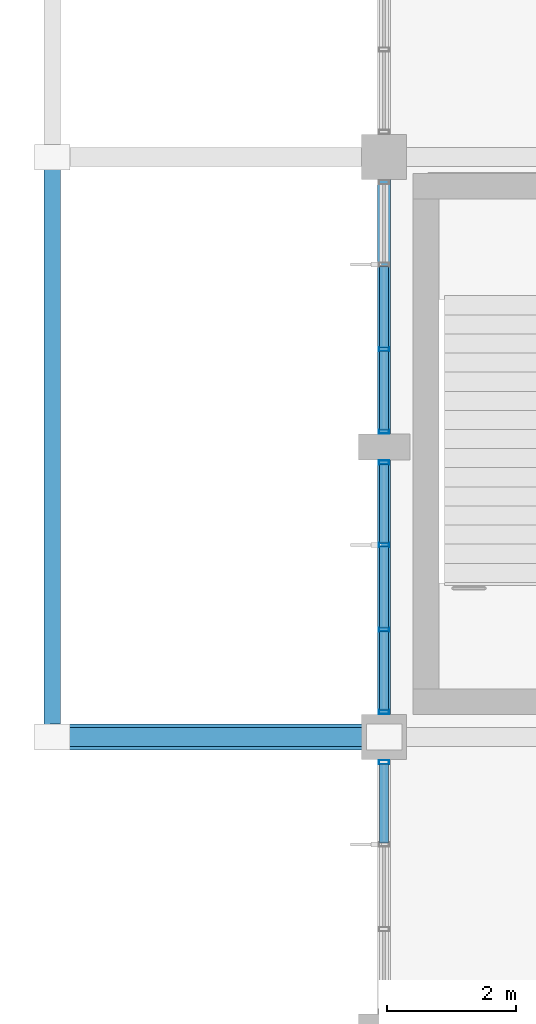
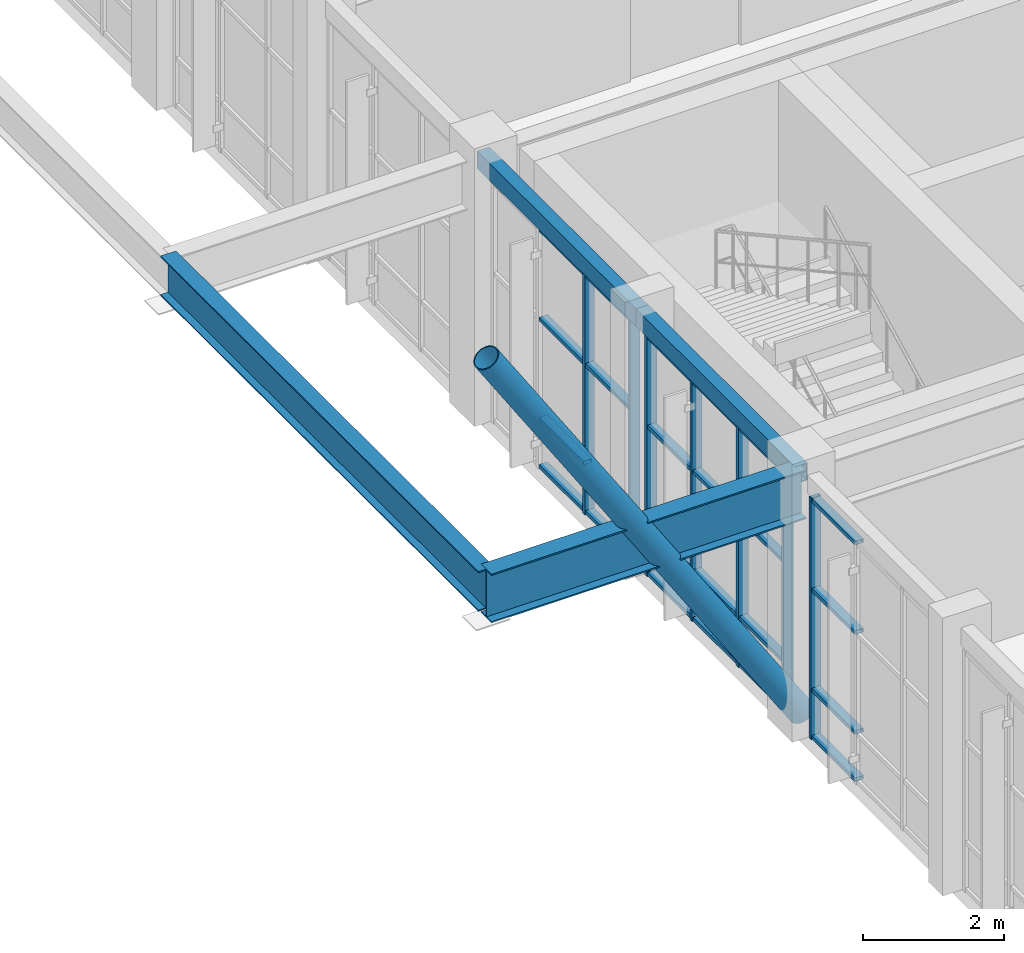
# One storey, part 20 of 99: 32 members, 4 beams, 3 elements without a shape of their own.
"""IFC4 building model written with IfcOpenShell, lengths in metres."""

from ifc_helpers import new_model, si_unit, direction, frame, origin, origin_2d, place, context, subcontext, project, spatial, hollow_rectangle, hollow_circle, i_section, extrude, material, layer, layer_set, material_profile, profile_set, type_object, element, aggregate, save


model = new_model("IFC4")

# Units and contexts
model_context = context("Model", 3, precision=1e-05, world=origin(), true_north=direction((0.0, 1.0)))
body_context = subcontext(model_context, "Body", "Model", "MODEL_VIEW")
ifc_project = project(units=[si_unit("LENGTHUNIT", "METRE"), si_unit("AREAUNIT", "SQUARE_METRE"), si_unit("VOLUMEUNIT", "CUBIC_METRE"), si_unit("PLANEANGLEUNIT", "RADIAN"), si_unit("MASSUNIT", "GRAM", prefix="KILO")], contexts=[model_context])

# Site, building, storey
site_placement = place(None, origin())
site = spatial("IfcSite", under=ifc_project, at=site_placement, CompositionType="ELEMENT")
building_placement = place(site_placement, origin())
building = spatial("IfcBuilding", under=site, at=building_placement, Name="Ventoquebrada Cableway Terminal", CompositionType="ELEMENT")
storey_placement = place(building_placement, frame((0.0, 0.0, 9.60009765625)))
storey = spatial("IfcBuildingStorey", under=building, at=storey_placement, Name="L02", CompositionType="ELEMENT", Elevation=9.60009765625)

# Beams
ifc_material_1 = material(Name="Steel ASTM A992 Grade 50", Category="steel")
ifc_material_profile_1 = material_profile(ifc_material_1, i_section(OverallWidth=0.25390625, OverallDepth=0.68798828125, WebThickness=0.01318359375, FlangeThickness=0.02099609375, at=origin_2d()), Name="W27X102")
ifc_profile_set_1 = profile_set([ifc_material_profile_1], Name="Steel ASTM A992 Grade 50")
beam_type_1 = type_object("IfcBeamType", Name="BM-ST04", PredefinedType="BEAM", material=ifc_profile_set_1)
beam_1_placement = place(storey_placement, frame((3.050048828125, 77.0, 4.120849609375), z_axis=(0.0, 1.0, 0.0), x_axis=(-1.0, 0.0, 0.0)))
element("IfcBeam", 1, at=beam_1_placement, inside=storey, type_object=beam_type_1, Name="Cantilever edge girder CB-006", PredefinedType="BEAM", context=body_context, shape_type="SweptSolid", body=[
    extrude(i_section(OverallWidth=0.25390625, OverallDepth=0.68798828125, WebThickness=0.01318359375, FlangeThickness=0.02099609375, at=origin_2d()), origin(), (0.0, 0.0, 1.0), 9.0),
])
ifc_material_profile_2 = material_profile(ifc_material_1, i_section(OverallWidth=0.2919921875, OverallDepth=0.845947265625, WebThickness=0.015380859375, FlangeThickness=0.0244140625, at=origin_2d()), Name="W33X141")
ifc_profile_set_2 = profile_set([ifc_material_profile_2], Name="Steel ASTM A992 Grade 50")
beam_type_2 = type_object("IfcBeamType", Name="BM-ST06", PredefinedType="BEAM", material=ifc_profile_set_2)
beam_2_placement = place(storey_placement, frame((3.050048828125, 77.0, 4.0419921875), z_axis=(1.0, 0.0, 0.0), x_axis=(0.0, 1.0, 0.0)))
element("IfcBeam", 2, at=beam_2_placement, inside=storey, type_object=beam_type_2, Name="Cantilever belvedere girder CB-001", PredefinedType="BEAM", context=body_context, shape_type="SweptSolid", body=[
    extrude(i_section(OverallWidth=0.2919921875, OverallDepth=0.845947265625, WebThickness=0.015380859375, FlangeThickness=0.0244140625, at=origin_2d()), origin(), (0.0, 0.0, 1.0), 5.14990234375),
])

# Curtain wall, member
ifc_material_2 = material(Name="Anodized thermally-broken aluminium", Category="aluminium")
ifc_layer = layer(ifc_material_2, 0.159912109375)
ifc_layer_set = layer_set([ifc_layer], Name="Anodized thermally-broken aluminium")
curtain_wall_type = type_object("IfcCurtainWallType", Name="CW-T17", PredefinedType="USERDEFINED", material=ifc_layer_set)
curtain_wall_1_placement = place(storey_placement, origin())
curtain_wall_1 = element("IfcCurtainWall", 3, at=curtain_wall_1_placement, inside=storey, type_object=curtain_wall_type, Name="Unitised glazed curtain wall CW-043", ObjectType="UNITISED CURTAIN WALL", PredefinedType="USERDEFINED")
ifc_material_profile_3 = material_profile(ifc_material_2, hollow_rectangle(XDim=0.06494140625, YDim=0.159912109375, WallThickness=0.00390625, at=origin_2d()), Name="CW-MUL-65X160")
ifc_profile_set_3 = profile_set([ifc_material_profile_3], Name="Anodized thermally-broken aluminium")
member_type_1 = type_object("IfcMemberType", Name="CWM-01", PredefinedType="MULLION", material=ifc_profile_set_3)
member_1_placement = place(storey_placement, frame((8.199951171875, 76.610107421875, -0.008056640625), z_axis=(0.0, 0.0, 1.0), x_axis=(0.0, -1.0, 0.0)))
member_1 = element("IfcMember", 4, at=member_1_placement, type_object=member_type_1, Name="Curtain wall mullion FML-0196", PredefinedType="MULLION", context=body_context, shape_type="SweptSolid", body=[
    extrude(hollow_rectangle(XDim=0.06494140625, YDim=0.159912109375, WallThickness=0.00390625, at=origin_2d()), origin(), (0.0, 0.0, 1.0), 4.1728515625),
])

# Curtain wall, members
curtain_wall_2_placement = place(storey_placement, origin())
curtain_wall_2 = element("IfcCurtainWall", 5, at=curtain_wall_2_placement, inside=storey, type_object=curtain_wall_type, Name="Unitised glazed curtain wall CW-045", ObjectType="UNITISED CURTAIN WALL", PredefinedType="USERDEFINED")
member_2_placement = place(storey_placement, frame((8.199951171875, 83.01806640625, -0.008056640625), z_axis=(0.0, 0.0, 1.0), x_axis=(0.0, -1.0, 0.0)))
member_2 = element("IfcMember", 6, at=member_2_placement, type_object=member_type_1, Name="Curtain wall mullion FML-0206", PredefinedType="MULLION", context=body_context, shape_type="SweptSolid", body=[
    extrude(hollow_rectangle(XDim=0.06494140625, YDim=0.159912109375, WallThickness=0.00390625, at=origin_2d()), origin(), (0.0, 0.0, 1.0), 4.1728515625),
])
member_3_placement = place(storey_placement, frame((8.199951171875, 81.739990234375, -0.008056640625), z_axis=(0.0, 0.0, 1.0), x_axis=(0.0, -1.0, 0.0)))
member_3 = element("IfcMember", 7, at=member_3_placement, type_object=member_type_1, Name="Curtain wall mullion FML-0207", PredefinedType="MULLION", context=body_context, shape_type="SweptSolid", body=[
    extrude(hollow_rectangle(XDim=0.06494140625, YDim=0.159912109375, WallThickness=0.00390625, at=origin_2d()), origin(), (0.0, 0.0, 1.0), 4.1728515625),
])

curtain_wall_3_placement = place(storey_placement, origin())
curtain_wall_3 = element("IfcCurtainWall", 8, at=curtain_wall_3_placement, inside=storey, type_object=curtain_wall_type, Name="Unitised glazed curtain wall CW-046", ObjectType="UNITISED CURTAIN WALL", PredefinedType="USERDEFINED")
member_4_placement = place(storey_placement, frame((8.199951171875, 81.260009765625, -0.008056640625), z_axis=(0.0, 0.0, 1.0), x_axis=(0.0, -1.0, 0.0)))
member_4 = element("IfcMember", 9, at=member_4_placement, type_object=member_type_1, Name="Curtain wall mullion FML-0208", PredefinedType="MULLION", context=body_context, shape_type="SweptSolid", body=[
    extrude(hollow_rectangle(XDim=0.06494140625, YDim=0.159912109375, WallThickness=0.00390625, at=origin_2d()), origin(), (0.0, 0.0, 1.0), 4.1728515625),
])
member_5_placement = place(storey_placement, frame((8.199951171875, 79.98193359375, -0.008056640625), z_axis=(0.0, 0.0, 1.0), x_axis=(0.0, -1.0, 0.0)))
member_5 = element("IfcMember", 10, at=member_5_placement, type_object=member_type_1, Name="Curtain wall mullion FML-0209", PredefinedType="MULLION", context=body_context, shape_type="SweptSolid", body=[
    extrude(hollow_rectangle(XDim=0.06494140625, YDim=0.159912109375, WallThickness=0.00390625, at=origin_2d()), origin(), (0.0, 0.0, 1.0), 4.1728515625),
])
member_6_placement = place(storey_placement, frame((8.199951171875, 78.66796875, -0.008056640625), z_axis=(0.0, 0.0, 1.0), x_axis=(0.0, -1.0, 0.0)))
member_6 = element("IfcMember", 11, at=member_6_placement, type_object=member_type_1, Name="Curtain wall mullion FML-0210", PredefinedType="MULLION", context=body_context, shape_type="SweptSolid", body=[
    extrude(hollow_rectangle(XDim=0.06494140625, YDim=0.159912109375, WallThickness=0.00390625, at=origin_2d()), origin(), (0.0, 0.0, 1.0), 4.1728515625),
])
member_7_placement = place(storey_placement, frame((8.199951171875, 77.389892578125, -0.008056640625), z_axis=(0.0, 0.0, 1.0), x_axis=(0.0, -1.0, 0.0)))
member_7 = element("IfcMember", 12, at=member_7_placement, type_object=member_type_1, Name="Curtain wall mullion FML-0211", PredefinedType="MULLION", context=body_context, shape_type="SweptSolid", body=[
    extrude(hollow_rectangle(XDim=0.06494140625, YDim=0.159912109375, WallThickness=0.00390625, at=origin_2d()), origin(), (0.0, 0.0, 1.0), 4.1728515625),
])

# Member
ifc_material_profile_4 = material_profile(ifc_material_2, hollow_rectangle(XDim=0.06494140625, YDim=0.139892578125, WallThickness=0.00390625, at=origin_2d()), Name="CW-TRN-65X140")
ifc_profile_set_4 = profile_set([ifc_material_profile_4], Name="Anodized thermally-broken aluminium")
member_type_2 = type_object("IfcMemberType", Name="CWT-01", PredefinedType="USERDEFINED", material=ifc_profile_set_4)
member_8_placement = place(storey_placement, frame((8.199951171875, 76.58203125, 0.034912109375), z_axis=(0.0, -1.0, 0.0), x_axis=(0.0, 0.0, 1.0)))
member_8 = element("IfcMember", 13, at=member_8_placement, type_object=member_type_2, Name="Curtain wall transom FTR-0591", ObjectType="TRANSOM", PredefinedType="USERDEFINED", context=body_context, shape_type="SweptSolid", body=[
    extrude(hollow_rectangle(XDim=0.06494140625, YDim=0.139892578125, WallThickness=0.00390625, at=origin_2d()), origin(), (0.0, 0.0, 1.0), 1.22314453125),
])

member_9_placement = place(storey_placement, frame((8.199951171875, 76.58203125, 0.849853515625), z_axis=(0.0, -1.0, 0.0), x_axis=(0.0, 0.0, 1.0)))
member_9 = element("IfcMember", 14, at=member_9_placement, type_object=member_type_2, Name="Curtain wall transom FTR-0592", ObjectType="TRANSOM", PredefinedType="USERDEFINED", context=body_context, shape_type="SweptSolid", body=[
    extrude(hollow_rectangle(XDim=0.06494140625, YDim=0.139892578125, WallThickness=0.00390625, at=origin_2d()), origin(), (0.0, 0.0, 1.0), 1.22314453125),
])

member_10_placement = place(storey_placement, frame((8.199951171875, 76.58203125, 2.578857421875), z_axis=(0.0, -1.0, 0.0), x_axis=(0.0, 0.0, 1.0)))
member_10 = element("IfcMember", 15, at=member_10_placement, type_object=member_type_2, Name="Curtain wall transom FTR-0593", ObjectType="TRANSOM", PredefinedType="USERDEFINED", context=body_context, shape_type="SweptSolid", body=[
    extrude(hollow_rectangle(XDim=0.06494140625, YDim=0.139892578125, WallThickness=0.00390625, at=origin_2d()), origin(), (0.0, 0.0, 1.0), 1.22314453125),
])

member_11_placement = place(storey_placement, frame((8.199951171875, 76.58203125, 4.125), z_axis=(0.0, -1.0, 0.0), x_axis=(0.0, 0.0, 1.0)))
member_11 = element("IfcMember", 16, at=member_11_placement, type_object=member_type_2, Name="Curtain wall transom FTR-0594", ObjectType="TRANSOM", PredefinedType="USERDEFINED", context=body_context, shape_type="SweptSolid", body=[
    extrude(hollow_rectangle(XDim=0.06494140625, YDim=0.139892578125, WallThickness=0.00390625, at=origin_2d()), origin(), (0.0, 0.0, 1.0), 1.22314453125),
])

aggregate(curtain_wall_1, [member_1, member_8, member_9, member_10, member_11])

member_12_placement = place(storey_placement, frame((8.199951171875, 84.303955078125, 0.034912109375), z_axis=(0.0, -1.0, 0.0), x_axis=(0.0, 0.0, 1.0)))
member_12 = element("IfcMember", 17, at=member_12_placement, type_object=member_type_2, Name="Curtain wall transom FTR-0619", ObjectType="TRANSOM", PredefinedType="USERDEFINED", context=body_context, shape_type="SweptSolid", body=[
    extrude(hollow_rectangle(XDim=0.06494140625, YDim=0.139892578125, WallThickness=0.00390625, at=origin_2d()), origin(), (0.0, 0.0, 1.0), 1.258056640625),
])

member_13_placement = place(storey_placement, frame((8.199951171875, 84.303955078125, 0.849853515625), z_axis=(0.0, -1.0, 0.0), x_axis=(0.0, 0.0, 1.0)))
member_13 = element("IfcMember", 18, at=member_13_placement, type_object=member_type_2, Name="Curtain wall transom FTR-0620", ObjectType="TRANSOM", PredefinedType="USERDEFINED", context=body_context, shape_type="SweptSolid", body=[
    extrude(hollow_rectangle(XDim=0.06494140625, YDim=0.139892578125, WallThickness=0.00390625, at=origin_2d()), origin(), (0.0, 0.0, 1.0), 1.258056640625),
])

member_14_placement = place(storey_placement, frame((8.199951171875, 84.303955078125, 2.578857421875), z_axis=(0.0, -1.0, 0.0), x_axis=(0.0, 0.0, 1.0)))
member_14 = element("IfcMember", 19, at=member_14_placement, type_object=member_type_2, Name="Curtain wall transom FTR-0621", ObjectType="TRANSOM", PredefinedType="USERDEFINED", context=body_context, shape_type="SweptSolid", body=[
    extrude(hollow_rectangle(XDim=0.06494140625, YDim=0.139892578125, WallThickness=0.00390625, at=origin_2d()), origin(), (0.0, 0.0, 1.0), 1.258056640625),
])

member_15_placement = place(storey_placement, frame((8.199951171875, 84.303955078125, 4.125), z_axis=(0.0, -1.0, 0.0), x_axis=(0.0, 0.0, 1.0)))
member_15 = element("IfcMember", 20, at=member_15_placement, type_object=member_type_2, Name="Curtain wall transom FTR-0622", ObjectType="TRANSOM", PredefinedType="USERDEFINED", context=body_context, shape_type="SweptSolid", body=[
    extrude(hollow_rectangle(XDim=0.06494140625, YDim=0.139892578125, WallThickness=0.00390625, at=origin_2d()), origin(), (0.0, 0.0, 1.0), 1.258056640625),
])

member_16_placement = place(storey_placement, frame((8.199951171875, 82.990966796875, 0.034912109375), z_axis=(0.0, -1.0, 0.0), x_axis=(0.0, 0.0, 1.0)))
member_16 = element("IfcMember", 21, at=member_16_placement, type_object=member_type_2, Name="Curtain wall transom FTR-0623", ObjectType="TRANSOM", PredefinedType="USERDEFINED", context=body_context, shape_type="SweptSolid", body=[
    extrude(hollow_rectangle(XDim=0.06494140625, YDim=0.139892578125, WallThickness=0.00390625, at=origin_2d()), origin(), (0.0, 0.0, 1.0), 1.223876953125),
])

member_17_placement = place(storey_placement, frame((8.199951171875, 82.990966796875, 0.849853515625), z_axis=(0.0, -1.0, 0.0), x_axis=(0.0, 0.0, 1.0)))
member_17 = element("IfcMember", 22, at=member_17_placement, type_object=member_type_2, Name="Curtain wall transom FTR-0624", ObjectType="TRANSOM", PredefinedType="USERDEFINED", context=body_context, shape_type="SweptSolid", body=[
    extrude(hollow_rectangle(XDim=0.06494140625, YDim=0.139892578125, WallThickness=0.00390625, at=origin_2d()), origin(), (0.0, 0.0, 1.0), 1.223876953125),
])

member_18_placement = place(storey_placement, frame((8.199951171875, 82.990966796875, 2.578857421875), z_axis=(0.0, -1.0, 0.0), x_axis=(0.0, 0.0, 1.0)))
member_18 = element("IfcMember", 23, at=member_18_placement, type_object=member_type_2, Name="Curtain wall transom FTR-0625", ObjectType="TRANSOM", PredefinedType="USERDEFINED", context=body_context, shape_type="SweptSolid", body=[
    extrude(hollow_rectangle(XDim=0.06494140625, YDim=0.139892578125, WallThickness=0.00390625, at=origin_2d()), origin(), (0.0, 0.0, 1.0), 1.223876953125),
])

member_19_placement = place(storey_placement, frame((8.199951171875, 82.990966796875, 4.125), z_axis=(0.0, -1.0, 0.0), x_axis=(0.0, 0.0, 1.0)))
member_19 = element("IfcMember", 24, at=member_19_placement, type_object=member_type_2, Name="Curtain wall transom FTR-0626", ObjectType="TRANSOM", PredefinedType="USERDEFINED", context=body_context, shape_type="SweptSolid", body=[
    extrude(hollow_rectangle(XDim=0.06494140625, YDim=0.139892578125, WallThickness=0.00390625, at=origin_2d()), origin(), (0.0, 0.0, 1.0), 1.223876953125),
])

aggregate(curtain_wall_2, [member_2, member_3, member_12, member_13, member_14, member_15, member_16, member_17, member_18, member_19])

member_20_placement = place(storey_placement, frame((8.199951171875, 81.23291015625, 0.034912109375), z_axis=(0.0, -1.0, 0.0), x_axis=(0.0, 0.0, 1.0)))
member_20 = element("IfcMember", 25, at=member_20_placement, type_object=member_type_2, Name="Curtain wall transom FTR-0627", ObjectType="TRANSOM", PredefinedType="USERDEFINED", context=body_context, shape_type="SweptSolid", body=[
    extrude(hollow_rectangle(XDim=0.06494140625, YDim=0.139892578125, WallThickness=0.00390625, at=origin_2d()), origin(), (0.0, 0.0, 1.0), 1.223876953125),
])

member_21_placement = place(storey_placement, frame((8.199951171875, 81.23291015625, 0.849853515625), z_axis=(0.0, -1.0, 0.0), x_axis=(0.0, 0.0, 1.0)))
member_21 = element("IfcMember", 26, at=member_21_placement, type_object=member_type_2, Name="Curtain wall transom FTR-0628", ObjectType="TRANSOM", PredefinedType="USERDEFINED", context=body_context, shape_type="SweptSolid", body=[
    extrude(hollow_rectangle(XDim=0.06494140625, YDim=0.139892578125, WallThickness=0.00390625, at=origin_2d()), origin(), (0.0, 0.0, 1.0), 1.223876953125),
])

member_22_placement = place(storey_placement, frame((8.199951171875, 81.23291015625, 2.578857421875), z_axis=(0.0, -1.0, 0.0), x_axis=(0.0, 0.0, 1.0)))
member_22 = element("IfcMember", 27, at=member_22_placement, type_object=member_type_2, Name="Curtain wall transom FTR-0629", ObjectType="TRANSOM", PredefinedType="USERDEFINED", context=body_context, shape_type="SweptSolid", body=[
    extrude(hollow_rectangle(XDim=0.06494140625, YDim=0.139892578125, WallThickness=0.00390625, at=origin_2d()), origin(), (0.0, 0.0, 1.0), 1.223876953125),
])

member_23_placement = place(storey_placement, frame((8.199951171875, 81.23291015625, 4.125), z_axis=(0.0, -1.0, 0.0), x_axis=(0.0, 0.0, 1.0)))
member_23 = element("IfcMember", 28, at=member_23_placement, type_object=member_type_2, Name="Curtain wall transom FTR-0630", ObjectType="TRANSOM", PredefinedType="USERDEFINED", context=body_context, shape_type="SweptSolid", body=[
    extrude(hollow_rectangle(XDim=0.06494140625, YDim=0.139892578125, WallThickness=0.00390625, at=origin_2d()), origin(), (0.0, 0.0, 1.0), 1.223876953125),
])

member_24_placement = place(storey_placement, frame((8.199951171875, 79.9541015625, 0.034912109375), z_axis=(0.0, -1.0, 0.0), x_axis=(0.0, 0.0, 1.0)))
member_24 = element("IfcMember", 29, at=member_24_placement, type_object=member_type_2, Name="Curtain wall transom FTR-0631", ObjectType="TRANSOM", PredefinedType="USERDEFINED", context=body_context, shape_type="SweptSolid", body=[
    extrude(hollow_rectangle(XDim=0.06494140625, YDim=0.139892578125, WallThickness=0.00390625, at=origin_2d()), origin(), (0.0, 0.0, 1.0), 1.258056640625),
])

member_25_placement = place(storey_placement, frame((8.199951171875, 79.9541015625, 0.849853515625), z_axis=(0.0, -1.0, 0.0), x_axis=(0.0, 0.0, 1.0)))
member_25 = element("IfcMember", 30, at=member_25_placement, type_object=member_type_2, Name="Curtain wall transom FTR-0632", ObjectType="TRANSOM", PredefinedType="USERDEFINED", context=body_context, shape_type="SweptSolid", body=[
    extrude(hollow_rectangle(XDim=0.06494140625, YDim=0.139892578125, WallThickness=0.00390625, at=origin_2d()), origin(), (0.0, 0.0, 1.0), 1.258056640625),
])

member_26_placement = place(storey_placement, frame((8.199951171875, 79.9541015625, 2.578857421875), z_axis=(0.0, -1.0, 0.0), x_axis=(0.0, 0.0, 1.0)))
member_26 = element("IfcMember", 31, at=member_26_placement, type_object=member_type_2, Name="Curtain wall transom FTR-0633", ObjectType="TRANSOM", PredefinedType="USERDEFINED", context=body_context, shape_type="SweptSolid", body=[
    extrude(hollow_rectangle(XDim=0.06494140625, YDim=0.139892578125, WallThickness=0.00390625, at=origin_2d()), origin(), (0.0, 0.0, 1.0), 1.258056640625),
])

member_27_placement = place(storey_placement, frame((8.199951171875, 79.9541015625, 4.125), z_axis=(0.0, -1.0, 0.0), x_axis=(0.0, 0.0, 1.0)))
member_27 = element("IfcMember", 32, at=member_27_placement, type_object=member_type_2, Name="Curtain wall transom FTR-0634", ObjectType="TRANSOM", PredefinedType="USERDEFINED", context=body_context, shape_type="SweptSolid", body=[
    extrude(hollow_rectangle(XDim=0.06494140625, YDim=0.139892578125, WallThickness=0.00390625, at=origin_2d()), origin(), (0.0, 0.0, 1.0), 1.258056640625),
])

member_28_placement = place(storey_placement, frame((8.199951171875, 78.64111328125, 0.034912109375), z_axis=(0.0, -1.0, 0.0), x_axis=(0.0, 0.0, 1.0)))
member_28 = element("IfcMember", 33, at=member_28_placement, type_object=member_type_2, Name="Curtain wall transom FTR-0635", ObjectType="TRANSOM", PredefinedType="USERDEFINED", context=body_context, shape_type="SweptSolid", body=[
    extrude(hollow_rectangle(XDim=0.06494140625, YDim=0.139892578125, WallThickness=0.00390625, at=origin_2d()), origin(), (0.0, 0.0, 1.0), 1.22314453125),
])

member_29_placement = place(storey_placement, frame((8.199951171875, 78.64111328125, 0.849853515625), z_axis=(0.0, -1.0, 0.0), x_axis=(0.0, 0.0, 1.0)))
member_29 = element("IfcMember", 34, at=member_29_placement, type_object=member_type_2, Name="Curtain wall transom FTR-0636", ObjectType="TRANSOM", PredefinedType="USERDEFINED", context=body_context, shape_type="SweptSolid", body=[
    extrude(hollow_rectangle(XDim=0.06494140625, YDim=0.139892578125, WallThickness=0.00390625, at=origin_2d()), origin(), (0.0, 0.0, 1.0), 1.22314453125),
])

member_30_placement = place(storey_placement, frame((8.199951171875, 78.64111328125, 2.578857421875), z_axis=(0.0, -1.0, 0.0), x_axis=(0.0, 0.0, 1.0)))
member_30 = element("IfcMember", 35, at=member_30_placement, type_object=member_type_2, Name="Curtain wall transom FTR-0637", ObjectType="TRANSOM", PredefinedType="USERDEFINED", context=body_context, shape_type="SweptSolid", body=[
    extrude(hollow_rectangle(XDim=0.06494140625, YDim=0.139892578125, WallThickness=0.00390625, at=origin_2d()), origin(), (0.0, 0.0, 1.0), 1.22314453125),
])

member_31_placement = place(storey_placement, frame((8.199951171875, 78.64111328125, 4.125), z_axis=(0.0, -1.0, 0.0), x_axis=(0.0, 0.0, 1.0)))
member_31 = element("IfcMember", 36, at=member_31_placement, type_object=member_type_2, Name="Curtain wall transom FTR-0638", ObjectType="TRANSOM", PredefinedType="USERDEFINED", context=body_context, shape_type="SweptSolid", body=[
    extrude(hollow_rectangle(XDim=0.06494140625, YDim=0.139892578125, WallThickness=0.00390625, at=origin_2d()), origin(), (0.0, 0.0, 1.0), 1.22314453125),
])

aggregate(curtain_wall_3, [member_4, member_5, member_6, member_7, member_20, member_21, member_22, member_23, member_24, member_25, member_26, member_27, member_28, member_29, member_30, member_31])

# Beams
ifc_material_3 = material(Name="Steel ASTM A500 Grade C", Category="steel")
ifc_material_profile_5 = material_profile(ifc_material_3, hollow_rectangle(XDim=0.199951171875, YDim=0.300048828125, WallThickness=0.012451171875, at=origin_2d()), Name="RHS300X200X12.5")
ifc_profile_set_5 = profile_set([ifc_material_profile_5], Name="Steel ASTM A500 Grade C")
beam_type_3 = type_object("IfcBeamType", Name="SP-ST02", PredefinedType="SPANDREL", material=ifc_profile_set_5)
for number, where, z_axis, x_axis, name in (
    (37, (8.199951171875, 77.0, 4.31494140625), (0.0, 1.0, 0.0), (-1.0, 0.0, 0.0), "Perimeter spandrel beam FBM-0461"),
    (38, (8.199951171875, 81.5, 4.31494140625), (0.0, 1.0, 0.0), (-1.0, 0.0, 0.0), "Perimeter spandrel beam FBM-0462"),
):
    element("IfcBeam", number, at=place(storey_placement, frame(where, z_axis=z_axis, x_axis=x_axis)), inside=storey, type_object=beam_type_3, Name=name, PredefinedType="SPANDREL", context=body_context, shape_type="SweptSolid", body=[
        extrude(hollow_rectangle(XDim=0.199951171875, YDim=0.300048828125, WallThickness=0.012451171875, at=origin_2d()), origin(), (0.0, 0.0, 1.0), 4.5),
    ])

# Member
ifc_material_profile_6 = material_profile(ifc_material_3, hollow_circle(Radius=0.203125, WallThickness=0.01611328125, at=origin_2d()), Name="CHS406.4X16")
ifc_profile_set_6 = profile_set([ifc_material_profile_6], Name="Steel ASTM A500 Grade C")
member_type_3 = type_object("IfcMemberType", Name="STR-RK01", PredefinedType="STRUT", material=ifc_profile_set_6)
member_32_placement = place(storey_placement, frame((8.199951171875, 77.0, 0.199951171875), z_axis=(-0.545180926914, 0.0, 0.838318410229), x_axis=(0.0, -1.0, 0.0)))
element("IfcMember", 39, at=member_32_placement, inside=storey, type_object=member_type_3, Name="Cantilever steel raker strut RK-06", PredefinedType="STRUT", context=body_context, shape_type="SweptSolid", body=[
    extrude(hollow_circle(Radius=0.203125, WallThickness=0.01611328125, at=origin_2d()), origin(), (0.0, 0.0, 1.0), 9.4462890625),
])

save(model, "model.ifc")
